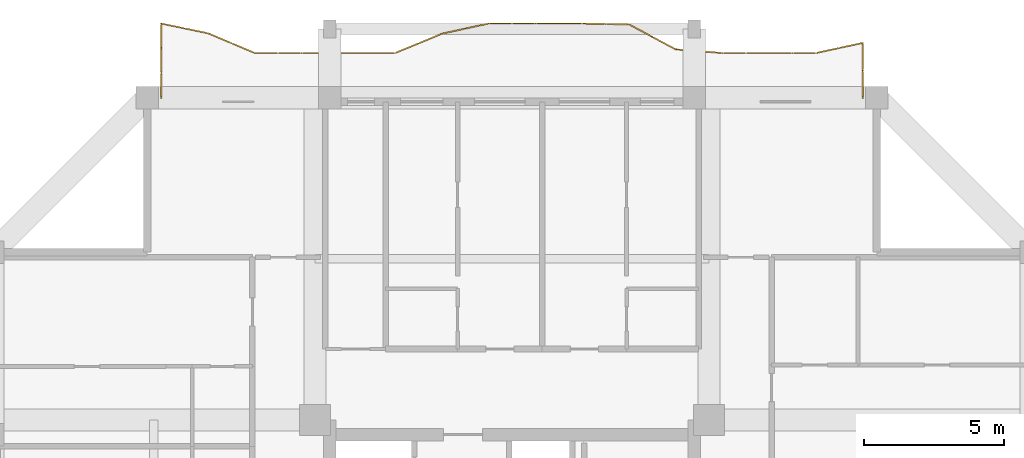
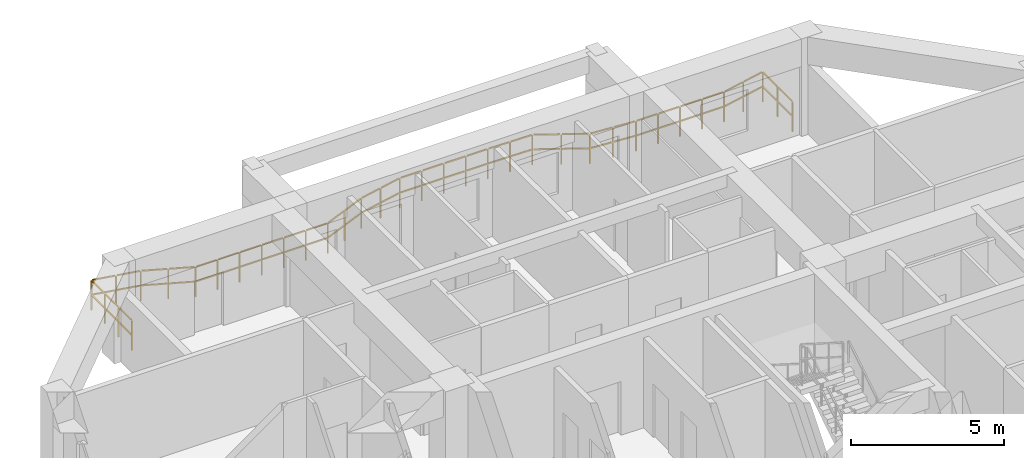
# One storey, part 14 of 14: 1 railing.
"""IFC4 building model written with IfcOpenShell, lengths in metres."""

from ifc_helpers import new_model, si_unit, direction, frame, origin, origin_2d, place, context, subcontext, project, spatial, rectangle, extrude, material, type_object, element, save


model = new_model("IFC4")

# Units and contexts
model_context = context("Model", 3, precision=1e-05, world=origin(), true_north=direction((0.0, 1.0)))
body_context = subcontext(model_context, "Body", "Model", "MODEL_VIEW")
ifc_project = project(units=[si_unit("LENGTHUNIT", "METRE"), si_unit("AREAUNIT", "SQUARE_METRE"), si_unit("VOLUMEUNIT", "CUBIC_METRE"), si_unit("PLANEANGLEUNIT", "RADIAN"), si_unit("MASSUNIT", "GRAM", prefix="KILO")], contexts=[model_context])

# Site, building, storey
site_placement = place(None, origin())
site = spatial("IfcSite", under=ifc_project, at=site_placement, CompositionType="ELEMENT")
building_placement = place(site_placement, origin())
building = spatial("IfcBuilding", under=site, at=building_placement, Name="Saelheon Loggia Tower", CompositionType="ELEMENT")
storey_placement = place(building_placement, frame((0.0, 0.0, 202.60009765625)))
storey = spatial("IfcBuildingStorey", under=building, at=storey_placement, Name="L63", CompositionType="ELEMENT", Elevation=202.60009765625)

# Railing
ifc_material = material(Name="Architectural Precast Concrete and Laminated Glass Guard", Category="concrete")
railing_type = type_object("IfcRailingType", Name="Guard_Loggia_RL_LOG", PredefinedType="BALUSTRADE", material=ifc_material)
railing_placement = place(storey_placement, frame((50.5, 48.0, 0.0)))
element("IfcRailing", 1, at=railing_placement, inside=storey, type_object=railing_type, Name="L63 North Loggia Balustrade", PredefinedType="BALUSTRADE", context=body_context, shape_type="SweptSolid", body=[
    extrude(rectangle(XDim=0.048095703125, YDim=0.048095703125, at=origin_2d()), frame((0.0, 0.033203125, 1.19580078125), z_axis=(0.0, 1.0, 0.0), x_axis=(-1.0, 0.0, 0.0)), (0.0, 0.0, 1.0), 0.91357421875),
    extrude(rectangle(XDim=0.048095703125, YDim=0.048095703125, at=origin_2d()), frame((0.0, 0.033203125, 0.60986328125), z_axis=(0.0, 1.0, 0.0), x_axis=(-1.0, 0.0, 0.0)), (0.0, 0.0, 1.0), 0.91357421875),
    extrude(rectangle(XDim=0.048095703125, YDim=0.048095703125, at=origin_2d()), frame((0.0, 1.013427734375, 1.19580078125), z_axis=(0.0, 1.0, 0.0), x_axis=(-1.0, 0.0, 0.0)), (0.0, 0.0, 1.0), 0.91357421875),
    extrude(rectangle(XDim=0.048095703125, YDim=0.048095703125, at=origin_2d()), frame((0.0, 1.013427734375, 0.60986328125), z_axis=(0.0, 1.0, 0.0), x_axis=(-1.0, 0.0, 0.0)), (0.0, 0.0, 1.0), 0.91357421875),
    extrude(rectangle(XDim=0.048095703125, YDim=0.048095703125, at=origin_2d()), frame((-0.032470703125, 1.953125, 1.19580078125), z_axis=(-0.977446924782, -0.211181223679, 0.0), x_axis=(0.211181223679, -0.977446924782, 0.0)), (0.0, 0.0, 1.0), 0.7861328125),
    extrude(rectangle(XDim=0.048095703125, YDim=0.048095703125, at=origin_2d()), frame((-0.032470703125, 1.953125, 0.60986328125), z_axis=(-0.977446924782, -0.211181223679, 0.0), x_axis=(0.211181223679, -0.977446924782, 0.0)), (0.0, 0.0, 1.0), 0.7861328125),
    extrude(rectangle(XDim=0.048095703125, YDim=0.048095703125, at=origin_2d()), frame((-0.865966796875, 1.773193359375, 1.19580078125), z_axis=(-0.977446924782, -0.211181223679, 0.0), x_axis=(0.211181223679, -0.977446924782, 0.0)), (0.0, 0.0, 1.0), 0.7861328125),
    extrude(rectangle(XDim=0.048095703125, YDim=0.048095703125, at=origin_2d()), frame((-0.865966796875, 1.773193359375, 0.60986328125), z_axis=(-0.977446924782, -0.211181223679, 0.0), x_axis=(0.211181223679, -0.977446924782, 0.0)), (0.0, 0.0, 1.0), 0.7861328125),
    extrude(rectangle(XDim=0.048095703125, YDim=0.048095703125, at=origin_2d()), frame((-1.699951171875, 1.60009765625, 1.19580078125), z_axis=(-1.0, 0.0, 0.0), x_axis=(0.0, -1.0, 0.0)), (0.0, 0.0, 1.0), 0.766845703125),
    extrude(rectangle(XDim=0.048095703125, YDim=0.048095703125, at=origin_2d()), frame((-1.699951171875, 1.60009765625, 0.60986328125), z_axis=(-1.0, 0.0, 0.0), x_axis=(0.0, -1.0, 0.0)), (0.0, 0.0, 1.0), 0.766845703125),
    extrude(rectangle(XDim=0.048095703125, YDim=0.048095703125, at=origin_2d()), frame((-2.533203125, 1.60009765625, 1.19580078125), z_axis=(-1.0, 0.0, 0.0), x_axis=(0.0, -1.0, 0.0)), (0.0, 0.0, 1.0), 0.766845703125),
    extrude(rectangle(XDim=0.048095703125, YDim=0.048095703125, at=origin_2d()), frame((-2.533203125, 1.60009765625, 0.60986328125), z_axis=(-1.0, 0.0, 0.0), x_axis=(0.0, -1.0, 0.0)), (0.0, 0.0, 1.0), 0.766845703125),
    extrude(rectangle(XDim=0.048095703125, YDim=0.048095703125, at=origin_2d()), frame((-3.366455078125, 1.60009765625, 1.19580078125), z_axis=(-1.0, 0.0, 0.0), x_axis=(0.0, -1.0, 0.0)), (0.0, 0.0, 1.0), 0.766845703125),
    extrude(rectangle(XDim=0.048095703125, YDim=0.048095703125, at=origin_2d()), frame((-3.366455078125, 1.60009765625, 0.60986328125), z_axis=(-1.0, 0.0, 0.0), x_axis=(0.0, -1.0, 0.0)), (0.0, 0.0, 1.0), 0.766845703125),
    extrude(rectangle(XDim=0.048095703125, YDim=0.048095703125, at=origin_2d()), frame((-4.199951171875, 1.60009765625, 1.19580078125), z_axis=(-1.0, 0.0, 0.0), x_axis=(0.0, -1.0, 0.0)), (0.0, 0.0, 1.0), 0.766845703125),
    extrude(rectangle(XDim=0.048095703125, YDim=0.048095703125, at=origin_2d()), frame((-4.199951171875, 1.60009765625, 0.60986328125), z_axis=(-1.0, 0.0, 0.0), x_axis=(0.0, -1.0, 0.0)), (0.0, 0.0, 1.0), 0.766845703125),
    extrude(rectangle(XDim=0.048095703125, YDim=0.048095703125, at=origin_2d()), frame((-5.033203125, 1.602783203125, 1.19580078125), z_axis=(-0.996920719957, 0.078416057802, 0.0), x_axis=(-0.078416057802, -0.996920719957, 0.0)), (0.0, 0.0, 1.0), 0.76953125),
    extrude(rectangle(XDim=0.048095703125, YDim=0.048095703125, at=origin_2d()), frame((-5.033203125, 1.602783203125, 0.60986328125), z_axis=(-0.996920719957, 0.078416057802, 0.0), x_axis=(-0.078416057802, -0.996920719957, 0.0)), (0.0, 0.0, 1.0), 0.76953125),
    extrude(rectangle(XDim=0.048095703125, YDim=0.048095703125, at=origin_2d()), frame((-5.866455078125, 1.668212890625, 1.19580078125), z_axis=(-0.996920719957, 0.078416057802, 0.0), x_axis=(-0.078416057802, -0.996920719957, 0.0)), (0.0, 0.0, 1.0), 0.76953125),
    extrude(rectangle(XDim=0.048095703125, YDim=0.048095703125, at=origin_2d()), frame((-5.866455078125, 1.668212890625, 0.60986328125), z_axis=(-0.996920719957, 0.078416057802, 0.0), x_axis=(-0.078416057802, -0.996920719957, 0.0)), (0.0, 0.0, 1.0), 0.76953125),
    extrude(rectangle(XDim=0.048095703125, YDim=0.048095703125, at=origin_2d()), frame((-6.696044921875, 1.746826171875, 1.19580078125), z_axis=(-0.882327893031, 0.470635197557, 0.0), x_axis=(-0.470635197557, -0.882327893031, 0.0)), (0.0, 0.0, 1.0), 0.8779296875),
    extrude(rectangle(XDim=0.048095703125, YDim=0.048095703125, at=origin_2d()), frame((-6.696044921875, 1.746826171875, 0.60986328125), z_axis=(-0.882327893031, 0.470635197557, 0.0), x_axis=(-0.470635197557, -0.882327893031, 0.0)), (0.0, 0.0, 1.0), 0.8779296875),
    extrude(rectangle(XDim=0.048095703125, YDim=0.048095703125, at=origin_2d()), frame((-7.529296875, 2.19140625, 1.19580078125), z_axis=(-0.882327893031, 0.470635197557, 0.0), x_axis=(-0.470635197557, -0.882327893031, 0.0)), (0.0, 0.0, 1.0), 0.8779296875),
    extrude(rectangle(XDim=0.048095703125, YDim=0.048095703125, at=origin_2d()), frame((-7.529296875, 2.19140625, 0.60986328125), z_axis=(-0.882327893031, 0.470635197557, 0.0), x_axis=(-0.470635197557, -0.882327893031, 0.0)), (0.0, 0.0, 1.0), 0.8779296875),
    extrude(rectangle(XDim=0.048095703125, YDim=0.048095703125, at=origin_2d()), frame((-8.366455078125, 2.62060546875, 1.19580078125), z_axis=(-0.99984036583, 0.017867368483, 0.0), x_axis=(-0.017867368483, -0.99984036583, 0.0)), (0.0, 0.0, 1.0), 0.76708984375),
    extrude(rectangle(XDim=0.048095703125, YDim=0.048095703125, at=origin_2d()), frame((-8.366455078125, 2.62060546875, 0.60986328125), z_axis=(-0.99984036583, 0.017867368483, 0.0), x_axis=(-0.017867368483, -0.99984036583, 0.0)), (0.0, 0.0, 1.0), 0.76708984375),
    extrude(rectangle(XDim=0.048095703125, YDim=0.048095703125, at=origin_2d()), frame((-9.199951171875, 2.635498046875, 1.19580078125), z_axis=(-0.99984036583, 0.017867368483, 0.0), x_axis=(-0.017867368483, -0.99984036583, 0.0)), (0.0, 0.0, 1.0), 0.76708984375),
    extrude(rectangle(XDim=0.048095703125, YDim=0.048095703125, at=origin_2d()), frame((-9.199951171875, 2.635498046875, 0.60986328125), z_axis=(-0.99984036583, 0.017867368483, 0.0), x_axis=(-0.017867368483, -0.99984036583, 0.0)), (0.0, 0.0, 1.0), 0.76708984375),
    extrude(rectangle(XDim=0.048095703125, YDim=0.048095703125, at=origin_2d()), frame((-10.033203125, 2.64990234375, 1.19580078125), z_axis=(-1.0, 0.0, 0.0), x_axis=(0.0, -1.0, 0.0)), (0.0, 0.0, 1.0), 0.766845703125),
    extrude(rectangle(XDim=0.048095703125, YDim=0.048095703125, at=origin_2d()), frame((-10.033203125, 2.64990234375, 0.60986328125), z_axis=(-1.0, 0.0, 0.0), x_axis=(0.0, -1.0, 0.0)), (0.0, 0.0, 1.0), 0.766845703125),
    extrude(rectangle(XDim=0.048095703125, YDim=0.048095703125, at=origin_2d()), frame((-10.86669921875, 2.64990234375, 1.19580078125), z_axis=(-1.0, 0.0, 0.0), x_axis=(0.0, -1.0, 0.0)), (0.0, 0.0, 1.0), 0.766845703125),
    extrude(rectangle(XDim=0.048095703125, YDim=0.048095703125, at=origin_2d()), frame((-10.86669921875, 2.64990234375, 0.60986328125), z_axis=(-1.0, 0.0, 0.0), x_axis=(0.0, -1.0, 0.0)), (0.0, 0.0, 1.0), 0.766845703125),
    extrude(rectangle(XDim=0.048095703125, YDim=0.048095703125, at=origin_2d()), frame((-11.699951171875, 2.64990234375, 1.19580078125), z_axis=(-1.0, 0.0, 0.0), x_axis=(0.0, -1.0, 0.0)), (0.0, 0.0, 1.0), 0.766845703125),
    extrude(rectangle(XDim=0.048095703125, YDim=0.048095703125, at=origin_2d()), frame((-11.699951171875, 2.64990234375, 0.60986328125), z_axis=(-1.0, 0.0, 0.0), x_axis=(0.0, -1.0, 0.0)), (0.0, 0.0, 1.0), 0.766845703125),
    extrude(rectangle(XDim=0.048095703125, YDim=0.048095703125, at=origin_2d()), frame((-12.533203125, 2.64990234375, 1.19580078125), z_axis=(-1.0, 0.0, 0.0), x_axis=(0.0, -1.0, 0.0)), (0.0, 0.0, 1.0), 0.766845703125),
    extrude(rectangle(XDim=0.048095703125, YDim=0.048095703125, at=origin_2d()), frame((-12.533203125, 2.64990234375, 0.60986328125), z_axis=(-1.0, 0.0, 0.0), x_axis=(0.0, -1.0, 0.0)), (0.0, 0.0, 1.0), 0.766845703125),
    extrude(rectangle(XDim=0.048095703125, YDim=0.048095703125, at=origin_2d()), frame((-13.36572265625, 2.642822265625, 1.19580078125), z_axis=(-0.976942008233, -0.213504830274, 0.0), x_axis=(0.213504830274, -0.976942008233, 0.0)), (0.0, 0.0, 1.0), 0.78662109375),
    extrude(rectangle(XDim=0.048095703125, YDim=0.048095703125, at=origin_2d()), frame((-13.36572265625, 2.642822265625, 0.60986328125), z_axis=(-0.976942008233, -0.213504830274, 0.0), x_axis=(0.213504830274, -0.976942008233, 0.0)), (0.0, 0.0, 1.0), 0.78662109375),
    extrude(rectangle(XDim=0.048095703125, YDim=0.048095703125, at=origin_2d()), frame((-14.198974609375, 2.460693359375, 1.19580078125), z_axis=(-0.976942008233, -0.213504830274, 0.0), x_axis=(0.213504830274, -0.976942008233, 0.0)), (0.0, 0.0, 1.0), 0.78662109375),
    extrude(rectangle(XDim=0.048095703125, YDim=0.048095703125, at=origin_2d()), frame((-14.198974609375, 2.460693359375, 0.60986328125), z_axis=(-0.976942008233, -0.213504830274, 0.0), x_axis=(0.213504830274, -0.976942008233, 0.0)), (0.0, 0.0, 1.0), 0.78662109375),
    extrude(rectangle(XDim=0.048095703125, YDim=0.048095703125, at=origin_2d()), frame((-15.03076171875, 2.27294921875, 1.19580078125), z_axis=(-0.924826719989, -0.380388667017, 0.0), x_axis=(0.380388667017, -0.924826719989, 0.0)), (0.0, 0.0, 1.0), 0.834716796875),
    extrude(rectangle(XDim=0.048095703125, YDim=0.048095703125, at=origin_2d()), frame((-15.03076171875, 2.27294921875, 0.60986328125), z_axis=(-0.924826719989, -0.380388667017, 0.0), x_axis=(0.380388667017, -0.924826719989, 0.0)), (0.0, 0.0, 1.0), 0.834716796875),
    extrude(rectangle(XDim=0.048095703125, YDim=0.048095703125, at=origin_2d()), frame((-15.864013671875, 1.93017578125, 1.19580078125), z_axis=(-0.924826719989, -0.380388667017, 0.0), x_axis=(0.380388667017, -0.924826719989, 0.0)), (0.0, 0.0, 1.0), 0.834716796875),
    extrude(rectangle(XDim=0.048095703125, YDim=0.048095703125, at=origin_2d()), frame((-15.864013671875, 1.93017578125, 0.60986328125), z_axis=(-0.924826719989, -0.380388667017, 0.0), x_axis=(0.380388667017, -0.924826719989, 0.0)), (0.0, 0.0, 1.0), 0.834716796875),
    extrude(rectangle(XDim=0.048095703125, YDim=0.048095703125, at=origin_2d()), frame((-16.699951171875, 1.60009765625, 1.19580078125), z_axis=(-1.0, 0.0, 0.0), x_axis=(0.0, -1.0, 0.0)), (0.0, 0.0, 1.0), 0.766845703125),
    extrude(rectangle(XDim=0.048095703125, YDim=0.048095703125, at=origin_2d()), frame((-16.699951171875, 1.60009765625, 0.60986328125), z_axis=(-1.0, 0.0, 0.0), x_axis=(0.0, -1.0, 0.0)), (0.0, 0.0, 1.0), 0.766845703125),
    extrude(rectangle(XDim=0.048095703125, YDim=0.048095703125, at=origin_2d()), frame((-17.533203125, 1.60009765625, 1.19580078125), z_axis=(-1.0, 0.0, 0.0), x_axis=(0.0, -1.0, 0.0)), (0.0, 0.0, 1.0), 0.766845703125),
    extrude(rectangle(XDim=0.048095703125, YDim=0.048095703125, at=origin_2d()), frame((-17.533203125, 1.60009765625, 0.60986328125), z_axis=(-1.0, 0.0, 0.0), x_axis=(0.0, -1.0, 0.0)), (0.0, 0.0, 1.0), 0.766845703125),
    extrude(rectangle(XDim=0.048095703125, YDim=0.048095703125, at=origin_2d()), frame((-18.366455078125, 1.60009765625, 1.19580078125), z_axis=(-1.0, 0.0, 0.0), x_axis=(0.0, -1.0, 0.0)), (0.0, 0.0, 1.0), 0.766845703125),
    extrude(rectangle(XDim=0.048095703125, YDim=0.048095703125, at=origin_2d()), frame((-18.366455078125, 1.60009765625, 0.60986328125), z_axis=(-1.0, 0.0, 0.0), x_axis=(0.0, -1.0, 0.0)), (0.0, 0.0, 1.0), 0.766845703125),
    extrude(rectangle(XDim=0.048095703125, YDim=0.048095703125, at=origin_2d()), frame((-19.199951171875, 1.60009765625, 1.19580078125), z_axis=(-1.0, 0.0, 0.0), x_axis=(0.0, -1.0, 0.0)), (0.0, 0.0, 1.0), 0.766845703125),
    extrude(rectangle(XDim=0.048095703125, YDim=0.048095703125, at=origin_2d()), frame((-19.199951171875, 1.60009765625, 0.60986328125), z_axis=(-1.0, 0.0, 0.0), x_axis=(0.0, -1.0, 0.0)), (0.0, 0.0, 1.0), 0.766845703125),
    extrude(rectangle(XDim=0.048095703125, YDim=0.048095703125, at=origin_2d()), frame((-20.033203125, 1.60009765625, 1.19580078125), z_axis=(-1.0, 0.0, 0.0), x_axis=(0.0, -1.0, 0.0)), (0.0, 0.0, 1.0), 0.766845703125),
    extrude(rectangle(XDim=0.048095703125, YDim=0.048095703125, at=origin_2d()), frame((-20.033203125, 1.60009765625, 0.60986328125), z_axis=(-1.0, 0.0, 0.0), x_axis=(0.0, -1.0, 0.0)), (0.0, 0.0, 1.0), 0.766845703125),
    extrude(rectangle(XDim=0.048095703125, YDim=0.048095703125, at=origin_2d()), frame((-20.86669921875, 1.60009765625, 1.19580078125), z_axis=(-1.0, 0.0, 0.0), x_axis=(0.0, -1.0, 0.0)), (0.0, 0.0, 1.0), 0.766845703125),
    extrude(rectangle(XDim=0.048095703125, YDim=0.048095703125, at=origin_2d()), frame((-20.86669921875, 1.60009765625, 0.60986328125), z_axis=(-1.0, 0.0, 0.0), x_axis=(0.0, -1.0, 0.0)), (0.0, 0.0, 1.0), 0.766845703125),
    extrude(rectangle(XDim=0.048095703125, YDim=0.048095703125, at=origin_2d()), frame((-21.697265625, 1.613037109375, 1.19580078125), z_axis=(-0.921253860244, 0.388961855438, 0.0), x_axis=(-0.388961855438, -0.921253860244, 0.0)), (0.0, 0.0, 1.0), 0.837890625),
    extrude(rectangle(XDim=0.048095703125, YDim=0.048095703125, at=origin_2d()), frame((-21.697265625, 1.613037109375, 0.60986328125), z_axis=(-0.921253860244, 0.388961855438, 0.0), x_axis=(-0.388961855438, -0.921253860244, 0.0)), (0.0, 0.0, 1.0), 0.837890625),
    extrude(rectangle(XDim=0.048095703125, YDim=0.048095703125, at=origin_2d()), frame((-22.530517578125, 1.96484375, 1.19580078125), z_axis=(-0.921253860244, 0.388961855438, 0.0), x_axis=(-0.388961855438, -0.921253860244, 0.0)), (0.0, 0.0, 1.0), 0.837890625),
    extrude(rectangle(XDim=0.048095703125, YDim=0.048095703125, at=origin_2d()), frame((-22.530517578125, 1.96484375, 0.60986328125), z_axis=(-0.921253860244, 0.388961855438, 0.0), x_axis=(-0.388961855438, -0.921253860244, 0.0)), (0.0, 0.0, 1.0), 0.837890625),
    extrude(rectangle(XDim=0.048095703125, YDim=0.048095703125, at=origin_2d()), frame((-23.36572265625, 2.310546875, 1.19580078125), z_axis=(-0.97910313619, 0.20336432505, 0.0), x_axis=(-0.20336432505, -0.97910313619, 0.0)), (0.0, 0.0, 1.0), 0.78466796875),
    extrude(rectangle(XDim=0.048095703125, YDim=0.048095703125, at=origin_2d()), frame((-23.36572265625, 2.310546875, 0.60986328125), z_axis=(-0.97910313619, 0.20336432505, 0.0), x_axis=(-0.20336432505, -0.97910313619, 0.0)), (0.0, 0.0, 1.0), 0.78466796875),
    extrude(rectangle(XDim=0.048095703125, YDim=0.048095703125, at=origin_2d()), frame((-24.19921875, 2.483642578125, 1.19580078125), z_axis=(-0.97910313619, 0.20336432505, 0.0), x_axis=(-0.20336432505, -0.97910313619, 0.0)), (0.0, 0.0, 1.0), 0.78466796875),
    extrude(rectangle(XDim=0.048095703125, YDim=0.048095703125, at=origin_2d()), frame((-24.19921875, 2.483642578125, 0.60986328125), z_axis=(-0.97910313619, 0.20336432505, 0.0), x_axis=(-0.20336432505, -0.97910313619, 0.0)), (0.0, 0.0, 1.0), 0.78466796875),
    extrude(rectangle(XDim=0.048095703125, YDim=0.048095703125, at=origin_2d()), frame((-25.0, 2.61669921875, 1.19580078125), z_axis=(0.0, -1.0, 0.0), x_axis=(1.0, 0.0, 0.0)), (0.0, 0.0, 1.0), 0.81689453125),
    extrude(rectangle(XDim=0.048095703125, YDim=0.048095703125, at=origin_2d()), frame((-25.0, 2.61669921875, 0.60986328125), z_axis=(0.0, -1.0, 0.0), x_axis=(1.0, 0.0, 0.0)), (0.0, 0.0, 1.0), 0.81689453125),
    extrude(rectangle(XDim=0.048095703125, YDim=0.048095703125, at=origin_2d()), frame((-25.0, 1.7333984375, 1.19580078125), z_axis=(0.0, -1.0, 0.0), x_axis=(1.0, 0.0, 0.0)), (0.0, 0.0, 1.0), 0.81689453125),
    extrude(rectangle(XDim=0.048095703125, YDim=0.048095703125, at=origin_2d()), frame((-25.0, 1.7333984375, 0.60986328125), z_axis=(0.0, -1.0, 0.0), x_axis=(1.0, 0.0, 0.0)), (0.0, 0.0, 1.0), 0.81689453125),
    extrude(rectangle(XDim=0.048095703125, YDim=0.048095703125, at=origin_2d()), frame((-25.0, 0.85009765625, 1.19580078125), z_axis=(0.0, -1.0, 0.0), x_axis=(1.0, 0.0, 0.0)), (0.0, 0.0, 1.0), 0.81689453125),
    extrude(rectangle(XDim=0.048095703125, YDim=0.048095703125, at=origin_2d()), frame((-25.0, 0.85009765625, 0.60986328125), z_axis=(0.0, -1.0, 0.0), x_axis=(1.0, 0.0, 0.0)), (0.0, 0.0, 1.0), 0.81689453125),
    extrude(rectangle(XDim=0.0419921875, YDim=0.0419921875, at=origin_2d()), origin(), (0.0, 0.0, 1.0), 1.16796875),
    extrude(rectangle(XDim=0.0419921875, YDim=0.0419921875, at=origin_2d()), frame((0.0, 0.97998046875, 0.0)), (0.0, 0.0, 1.0), 1.16796875),
    extrude(rectangle(XDim=0.0419921875, YDim=0.0419921875, at=origin_2d()), frame((0.0, 1.960205078125, 0.0)), (0.0, 0.0, 1.0), 1.16796875),
    extrude(rectangle(XDim=0.0419921875, YDim=0.0419921875, at=origin_2d()), frame((-0.83349609375, 1.7802734375, 0.0)), (0.0, 0.0, 1.0), 1.16796875),
    extrude(rectangle(XDim=0.0419921875, YDim=0.0419921875, at=origin_2d()), frame((-1.666748046875, 1.60009765625, 0.0)), (0.0, 0.0, 1.0), 1.16796875),
    extrude(rectangle(XDim=0.0419921875, YDim=0.0419921875, at=origin_2d()), frame((-2.5, 1.60009765625, 0.0)), (0.0, 0.0, 1.0), 1.16796875),
    extrude(rectangle(XDim=0.0419921875, YDim=0.0419921875, at=origin_2d()), frame((-3.333251953125, 1.60009765625, 0.0)), (0.0, 0.0, 1.0), 1.16796875),
    extrude(rectangle(XDim=0.0419921875, YDim=0.0419921875, at=origin_2d()), frame((-4.16650390625, 1.60009765625, 0.0)), (0.0, 0.0, 1.0), 1.16796875),
    extrude(rectangle(XDim=0.0419921875, YDim=0.0419921875, at=origin_2d()), frame((-5.0, 1.60009765625, 0.0)), (0.0, 0.0, 1.0), 1.16796875),
    extrude(rectangle(XDim=0.0419921875, YDim=0.0419921875, at=origin_2d()), frame((-5.83349609375, 1.66552734375, 0.0)), (0.0, 0.0, 1.0), 1.16796875),
    extrude(rectangle(XDim=0.0419921875, YDim=0.0419921875, at=origin_2d()), frame((-6.666748046875, 1.731201171875, 0.0)), (0.0, 0.0, 1.0), 1.16796875),
    extrude(rectangle(XDim=0.0419921875, YDim=0.0419921875, at=origin_2d()), frame((-7.5, 2.17578125, 0.0)), (0.0, 0.0, 1.0), 1.16796875),
    extrude(rectangle(XDim=0.0419921875, YDim=0.0419921875, at=origin_2d()), frame((-8.333251953125, 2.6201171875, 0.0)), (0.0, 0.0, 1.0), 1.16796875),
    extrude(rectangle(XDim=0.0419921875, YDim=0.0419921875, at=origin_2d()), frame((-9.16650390625, 2.635009765625, 0.0)), (0.0, 0.0, 1.0), 1.16796875),
    extrude(rectangle(XDim=0.0419921875, YDim=0.0419921875, at=origin_2d()), frame((-10.0, 2.64990234375, 0.0)), (0.0, 0.0, 1.0), 1.16796875),
    extrude(rectangle(XDim=0.0419921875, YDim=0.0419921875, at=origin_2d()), frame((-10.83349609375, 2.64990234375, 0.0)), (0.0, 0.0, 1.0), 1.16796875),
    extrude(rectangle(XDim=0.0419921875, YDim=0.0419921875, at=origin_2d()), frame((-11.666748046875, 2.64990234375, 0.0)), (0.0, 0.0, 1.0), 1.16796875),
    extrude(rectangle(XDim=0.0419921875, YDim=0.0419921875, at=origin_2d()), frame((-12.5, 2.64990234375, 0.0)), (0.0, 0.0, 1.0), 1.16796875),
    extrude(rectangle(XDim=0.0419921875, YDim=0.0419921875, at=origin_2d()), frame((-13.333251953125, 2.64990234375, 0.0)), (0.0, 0.0, 1.0), 1.16796875),
    extrude(rectangle(XDim=0.0419921875, YDim=0.0419921875, at=origin_2d()), frame((-14.16650390625, 2.4677734375, 0.0)), (0.0, 0.0, 1.0), 1.16796875),
    extrude(rectangle(XDim=0.0419921875, YDim=0.0419921875, at=origin_2d()), frame((-15.0, 2.28564453125, 0.0)), (0.0, 0.0, 1.0), 1.16796875),
    extrude(rectangle(XDim=0.0419921875, YDim=0.0419921875, at=origin_2d()), frame((-15.83349609375, 1.94287109375, 0.0)), (0.0, 0.0, 1.0), 1.16796875),
    extrude(rectangle(XDim=0.0419921875, YDim=0.0419921875, at=origin_2d()), frame((-16.666748046875, 1.60009765625, 0.0)), (0.0, 0.0, 1.0), 1.16796875),
    extrude(rectangle(XDim=0.0419921875, YDim=0.0419921875, at=origin_2d()), frame((-17.5, 1.60009765625, 0.0)), (0.0, 0.0, 1.0), 1.16796875),
    extrude(rectangle(XDim=0.0419921875, YDim=0.0419921875, at=origin_2d()), frame((-18.333251953125, 1.60009765625, 0.0)), (0.0, 0.0, 1.0), 1.16796875),
    extrude(rectangle(XDim=0.0419921875, YDim=0.0419921875, at=origin_2d()), frame((-19.16650390625, 1.60009765625, 0.0)), (0.0, 0.0, 1.0), 1.16796875),
    extrude(rectangle(XDim=0.0419921875, YDim=0.0419921875, at=origin_2d()), frame((-20.0, 1.60009765625, 0.0)), (0.0, 0.0, 1.0), 1.16796875),
    extrude(rectangle(XDim=0.0419921875, YDim=0.0419921875, at=origin_2d()), frame((-20.83349609375, 1.60009765625, 0.0)), (0.0, 0.0, 1.0), 1.16796875),
    extrude(rectangle(XDim=0.0419921875, YDim=0.0419921875, at=origin_2d()), frame((-21.666748046875, 1.60009765625, 0.0)), (0.0, 0.0, 1.0), 1.16796875),
    extrude(rectangle(XDim=0.0419921875, YDim=0.0419921875, at=origin_2d()), frame((-22.5, 1.951904296875, 0.0)), (0.0, 0.0, 1.0), 1.16796875),
    extrude(rectangle(XDim=0.0419921875, YDim=0.0419921875, at=origin_2d()), frame((-23.333251953125, 2.3037109375, 0.0)), (0.0, 0.0, 1.0), 1.16796875),
    extrude(rectangle(XDim=0.0419921875, YDim=0.0419921875, at=origin_2d()), frame((-24.16650390625, 2.476806640625, 0.0)), (0.0, 0.0, 1.0), 1.16796875),
    extrude(rectangle(XDim=0.0419921875, YDim=0.0419921875, at=origin_2d()), frame((-25.0, 2.64990234375, 0.0)), (0.0, 0.0, 1.0), 1.16796875),
    extrude(rectangle(XDim=0.0419921875, YDim=0.0419921875, at=origin_2d()), frame((-25.0, 1.7666015625, 0.0)), (0.0, 0.0, 1.0), 1.16796875),
    extrude(rectangle(XDim=0.0419921875, YDim=0.0419921875, at=origin_2d()), frame((-25.0, 0.88330078125, 0.0)), (0.0, 0.0, 1.0), 1.16796875),
    extrude(rectangle(XDim=0.0419921875, YDim=0.0419921875, at=origin_2d()), frame((-25.0, 0.0, 0.0)), (0.0, 0.0, 1.0), 1.16796875),
])

save(model, "model.ifc")
